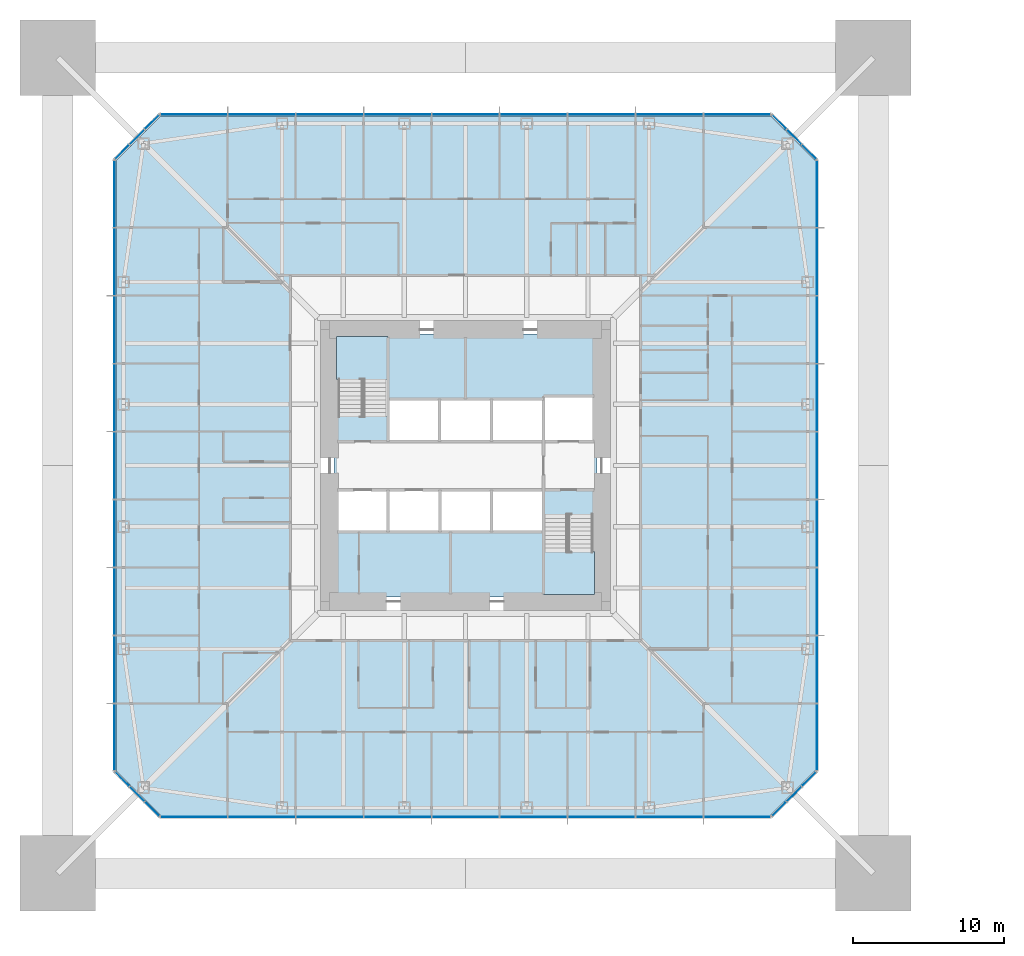
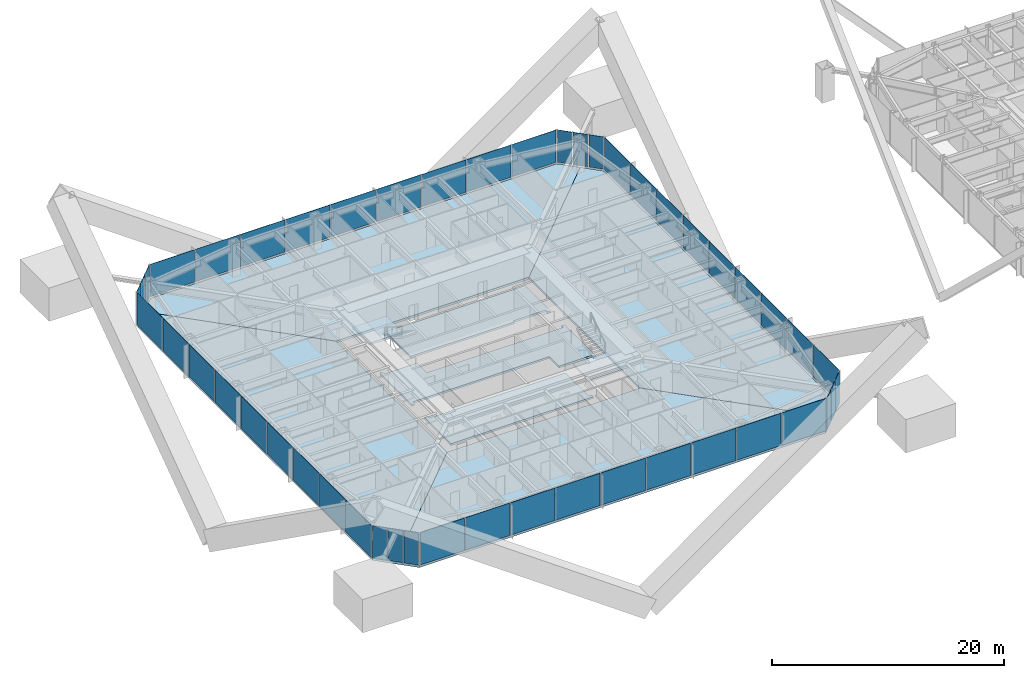
# One storey, part 14 of 28: 48 plates, 9 slabs, 10 elements without a shape of their own.
"""IFC4 building model written with IfcOpenShell, lengths in metres."""

from ifc_helpers import new_model, si_unit, direction, frame, origin, origin_2d, place, context, subcontext, project, spatial, polyline, rectangle, outline, extrude, material, layer, layer_set, constituent, constituent_set, type_object, element, aggregate, save


model = new_model("IFC4")

# Units and contexts
model_context = context("Model", 3, precision=1e-05, world=origin(), true_north=direction((0.0, 1.0)))
body_context = subcontext(model_context, "Body", "Model", "MODEL_VIEW")
ifc_project = project(units=[si_unit("LENGTHUNIT", "METRE"), si_unit("AREAUNIT", "SQUARE_METRE"), si_unit("VOLUMEUNIT", "CUBIC_METRE"), si_unit("PLANEANGLEUNIT", "RADIAN"), si_unit("MASSUNIT", "GRAM", prefix="KILO")], contexts=[model_context])

# Site, building, storey
site_placement = place(None, origin())
site = spatial("IfcSite", under=ifc_project, at=site_placement, CompositionType="ELEMENT")
building_placement = place(site_placement, origin())
building = spatial("IfcBuilding", under=site, at=building_placement, Name="Iwan Alto Co-Living Towers", CompositionType="ELEMENT")
storey_placement = place(building_placement, frame((0.0, 0.0, 64.0)))
storey = spatial("IfcBuildingStorey", under=building, at=storey_placement, Name="L17", CompositionType="ELEMENT", Elevation=64.0)

# Slabs
ifc_material_1 = material(Name="Concrete f'c 30 MPa", Category="concrete")
ifc_layer_1 = layer(ifc_material_1, 0.199951171875)
ifc_layer_set_1 = layer_set([ifc_layer_1], Name="CORE FLOOR SLAB 200")
slab_type_1 = type_object("IfcSlabType", Name="CORE FLOOR SLAB 200", PredefinedType="FLOOR", material=ifc_layer_set_1)
slab_1_placement = place(storey_placement, frame((0.0, 0.0, -0.199951171875)))
element("IfcSlab", 1, at=slab_1_placement, inside=storey, type_object=slab_type_1, Name="T1 core floor L17", PredefinedType="FLOOR", context=body_context, shape_type="SweptSolid", body=[
    extrude(outline(polyline([(8.699951171875, -3.580078125), (8.39990234375, -3.580078125), (8.39990234375, -3.27001953125), (5.14990234375, -3.27001953125), (5.14990234375, -1.60009765625), (1.72509765625, -1.60009765625), (-1.699951171875, -1.60009765625), (-5.125, -1.60009765625), (-8.39990234375, -1.60009765625), (-8.39990234375, -1.909912109375), (-8.699951171875, -1.909912109375), (-8.699951171875, 3.580078125), (-8.39990234375, 3.580078125), (-8.39990234375, 3.27001953125), (-5.14990234375, 3.27001953125), (-5.14990234375, 1.60009765625), (-1.717041015625, 1.60009765625), (1.717041015625, 1.60009765625), (5.14990234375, 1.60009765625), (8.39990234375, 1.60009765625), (8.39990234375, 1.909912109375), (8.699951171875, 1.909912109375), (8.699951171875, -3.580078125)])), origin(), (0.0, 0.0, 1.0), 0.199951171875),
])
slab_2_placement = place(storey_placement, frame((0.0, 0.0, -0.199951171875)))
element("IfcSlab", 2, at=slab_2_placement, inside=storey, type_object=slab_type_1, Name="T1 core floor L17", PredefinedType="FLOOR", context=body_context, shape_type="SweptSolid", body=[
    extrude(outline(polyline([(-1.699951171875, -4.39990234375), (1.72509765625, -4.39990234375), (5.14990234375, -4.39990234375), (5.14990234375, -8.39990234375), (5.4599609375, -8.39990234375), (5.4599609375, -8.699951171875), (-8.699951171875, -8.699951171875), (-8.699951171875, -4.090087890625), (-8.39990234375, -4.090087890625), (-8.39990234375, -4.39990234375), (-5.125, -4.39990234375), (-1.699951171875, -4.39990234375)])), origin(), (0.0, 0.0, 1.0), 0.199951171875),
])
slab_3_placement = place(storey_placement, frame((0.0, 0.0, -0.199951171875)))
element("IfcSlab", 3, at=slab_3_placement, inside=storey, type_object=slab_type_1, Name="T1 core floor L17", PredefinedType="FLOOR", context=body_context, shape_type="SweptSolid", body=[
    extrude(outline(polyline([(1.717041015625, 4.39990234375), (-1.717041015625, 4.39990234375), (-5.14990234375, 4.39990234375), (-5.14990234375, 8.39990234375), (-5.4599609375, 8.39990234375), (-5.4599609375, 8.699951171875), (8.699951171875, 8.699951171875), (8.699951171875, 4.2900390625), (8.39990234375, 4.2900390625), (8.39990234375, 4.60009765625), (5.14990234375, 4.60009765625), (5.14990234375, 4.39990234375), (1.717041015625, 4.39990234375)])), origin(), (0.0, 0.0, 1.0), 0.199951171875),
])

# Curtain wall, plates
ifc_material_2 = material(Name="Bronze aluminium unitised frame", Category="aluminium")
curtain_wall_type_1 = type_object("IfcCurtainWallType", Name="CURTAIN WALL CW-A", PredefinedType="NOTDEFINED", material=ifc_material_2)
curtain_wall_1_placement = place(storey_placement, origin())
curtain_wall_1 = element("IfcCurtainWall", 4, at=curtain_wall_1_placement, inside=storey, type_object=curtain_wall_type_1, Name="T1 curtain wall S L17", PredefinedType="NOTDEFINED")
ifc_material_3 = material(Name="Bronze-tinted insulating glass", Category="glass")
ifc_layer_2 = layer(ifc_material_3, 0.031982421875)
ifc_layer_set_2 = layer_set([ifc_layer_2], Name="CW-A PANEL TINTED IGU 32")
plate_type_1 = type_object("IfcPlateType", Name="CW-A PANEL TINTED IGU 32", PredefinedType="CURTAIN_PANEL", material=ifc_layer_set_2)
plate_1_placement = place(storey_placement, frame((-17.97998046875, -23.25, 0.10009765625), z_axis=(0.0, 0.0, 1.0), x_axis=(1.0, 0.0, 0.0)))
plate_1 = element("IfcPlate", 5, at=plate_1_placement, type_object=plate_type_1, Name="CW-A panel 1.1", PredefinedType="CURTAIN_PANEL", context=body_context, shape_type="SweptSolid", body=[
    extrude(rectangle(XDim=4.3798828125, YDim=0.031982421875, at=origin_2d()), origin(), (0.0, 0.0, 1.0), 3.39990234375),
])
plate_2_placement = place(storey_placement, frame((-13.5, -23.25, 0.10009765625), z_axis=(0.0, 0.0, 1.0), x_axis=(1.0, 0.0, 0.0)))
plate_2 = element("IfcPlate", 6, at=plate_2_placement, type_object=plate_type_1, Name="CW-A panel 2.1", PredefinedType="CURTAIN_PANEL", context=body_context, shape_type="SweptSolid", body=[
    extrude(rectangle(XDim=4.419921875, YDim=0.031982421875, at=origin_2d()), origin(), (0.0, 0.0, 1.0), 3.39990234375),
])
plate_3_placement = place(storey_placement, frame((-9.0, -23.25, 0.10009765625), z_axis=(0.0, 0.0, 1.0), x_axis=(1.0, 0.0, 0.0)))
plate_3 = element("IfcPlate", 7, at=plate_3_placement, type_object=plate_type_1, Name="CW-A panel 3.1", PredefinedType="CURTAIN_PANEL", context=body_context, shape_type="SweptSolid", body=[
    extrude(rectangle(XDim=4.419921875, YDim=0.031982421875, at=origin_2d()), origin(), (0.0, 0.0, 1.0), 3.39990234375),
])
plate_4_placement = place(storey_placement, frame((-4.5, -23.25, 0.10009765625), z_axis=(0.0, 0.0, 1.0), x_axis=(1.0, 0.0, 0.0)))
plate_4 = element("IfcPlate", 8, at=plate_4_placement, type_object=plate_type_1, Name="CW-A panel 4.1", PredefinedType="CURTAIN_PANEL", context=body_context, shape_type="SweptSolid", body=[
    extrude(rectangle(XDim=4.419921875, YDim=0.031982421875, at=origin_2d()), origin(), (0.0, 0.0, 1.0), 3.39990234375),
])
plate_5_placement = place(storey_placement, frame((0.0, -23.25, 0.10009765625), z_axis=(0.0, 0.0, 1.0), x_axis=(1.0, 0.0, 0.0)))
plate_5 = element("IfcPlate", 9, at=plate_5_placement, type_object=plate_type_1, Name="CW-A panel 5.1", PredefinedType="CURTAIN_PANEL", context=body_context, shape_type="SweptSolid", body=[
    extrude(rectangle(XDim=4.419921875, YDim=0.031982421875, at=origin_2d()), origin(), (0.0, 0.0, 1.0), 3.39990234375),
])
plate_6_placement = place(storey_placement, frame((4.5, -23.25, 0.10009765625), z_axis=(0.0, 0.0, 1.0), x_axis=(1.0, 0.0, 0.0)))
plate_6 = element("IfcPlate", 10, at=plate_6_placement, type_object=plate_type_1, Name="CW-A panel 6.1", PredefinedType="CURTAIN_PANEL", context=body_context, shape_type="SweptSolid", body=[
    extrude(rectangle(XDim=4.419921875, YDim=0.031982421875, at=origin_2d()), origin(), (0.0, 0.0, 1.0), 3.39990234375),
])
plate_7_placement = place(storey_placement, frame((9.0, -23.25, 0.10009765625), z_axis=(0.0, 0.0, 1.0), x_axis=(1.0, 0.0, 0.0)))
plate_7 = element("IfcPlate", 11, at=plate_7_placement, type_object=plate_type_1, Name="CW-A panel 7.1", PredefinedType="CURTAIN_PANEL", context=body_context, shape_type="SweptSolid", body=[
    extrude(rectangle(XDim=4.419921875, YDim=0.031982421875, at=origin_2d()), origin(), (0.0, 0.0, 1.0), 3.39990234375),
])
plate_8_placement = place(storey_placement, frame((13.5, -23.25, 0.10009765625), z_axis=(0.0, 0.0, 1.0), x_axis=(1.0, 0.0, 0.0)))
plate_8 = element("IfcPlate", 12, at=plate_8_placement, type_object=plate_type_1, Name="CW-A panel 8.1", PredefinedType="CURTAIN_PANEL", context=body_context, shape_type="SweptSolid", body=[
    extrude(rectangle(XDim=4.419921875, YDim=0.031982421875, at=origin_2d()), origin(), (0.0, 0.0, 1.0), 3.39990234375),
])
plate_9_placement = place(storey_placement, frame((17.97998046875, -23.25, 0.10009765625), z_axis=(0.0, 0.0, 1.0), x_axis=(1.0, 0.0, 0.0)))
plate_9 = element("IfcPlate", 13, at=plate_9_placement, type_object=plate_type_1, Name="CW-A panel 9.1", PredefinedType="CURTAIN_PANEL", context=body_context, shape_type="SweptSolid", body=[
    extrude(rectangle(XDim=4.3798828125, YDim=0.031982421875, at=origin_2d()), origin(), (0.0, 0.0, 1.0), 3.39990234375),
])
aggregate(curtain_wall_1, [plate_1, plate_2, plate_3, plate_4, plate_5, plate_6, plate_7, plate_8, plate_9])

curtain_wall_2_placement = place(storey_placement, origin())
curtain_wall_2 = element("IfcCurtainWall", 14, at=curtain_wall_2_placement, inside=storey, type_object=curtain_wall_type_1, Name="T1 curtain wall E L17", PredefinedType="NOTDEFINED")
plate_10_placement = place(storey_placement, frame((23.25, -17.97998046875, 0.10009765625), z_axis=(0.0, 0.0, 1.0), x_axis=(0.0, 1.0, 0.0)))
plate_10 = element("IfcPlate", 15, at=plate_10_placement, type_object=plate_type_1, Name="CW-A panel 1.1", PredefinedType="CURTAIN_PANEL", context=body_context, shape_type="SweptSolid", body=[
    extrude(rectangle(XDim=4.3798828125, YDim=0.031982421875, at=origin_2d()), origin(), (0.0, 0.0, 1.0), 3.39990234375),
])
plate_11_placement = place(storey_placement, frame((23.25, -13.5, 0.10009765625), z_axis=(0.0, 0.0, 1.0), x_axis=(0.0, 1.0, 0.0)))
plate_11 = element("IfcPlate", 16, at=plate_11_placement, type_object=plate_type_1, Name="CW-A panel 2.1", PredefinedType="CURTAIN_PANEL", context=body_context, shape_type="SweptSolid", body=[
    extrude(rectangle(XDim=4.419921875, YDim=0.031982421875, at=origin_2d()), origin(), (0.0, 0.0, 1.0), 3.39990234375),
])
plate_12_placement = place(storey_placement, frame((23.25, -9.0, 0.10009765625), z_axis=(0.0, 0.0, 1.0), x_axis=(0.0, 1.0, 0.0)))
plate_12 = element("IfcPlate", 17, at=plate_12_placement, type_object=plate_type_1, Name="CW-A panel 3.1", PredefinedType="CURTAIN_PANEL", context=body_context, shape_type="SweptSolid", body=[
    extrude(rectangle(XDim=4.419921875, YDim=0.031982421875, at=origin_2d()), origin(), (0.0, 0.0, 1.0), 3.39990234375),
])
plate_13_placement = place(storey_placement, frame((23.25, -4.5, 0.10009765625), z_axis=(0.0, 0.0, 1.0), x_axis=(0.0, 1.0, 0.0)))
plate_13 = element("IfcPlate", 18, at=plate_13_placement, type_object=plate_type_1, Name="CW-A panel 4.1", PredefinedType="CURTAIN_PANEL", context=body_context, shape_type="SweptSolid", body=[
    extrude(rectangle(XDim=4.419921875, YDim=0.031982421875, at=origin_2d()), origin(), (0.0, 0.0, 1.0), 3.39990234375),
])
plate_14_placement = place(storey_placement, frame((23.25, 0.0, 0.10009765625), z_axis=(0.0, 0.0, 1.0), x_axis=(0.0, 1.0, 0.0)))
plate_14 = element("IfcPlate", 19, at=plate_14_placement, type_object=plate_type_1, Name="CW-A panel 5.1", PredefinedType="CURTAIN_PANEL", context=body_context, shape_type="SweptSolid", body=[
    extrude(rectangle(XDim=4.419921875, YDim=0.031982421875, at=origin_2d()), origin(), (0.0, 0.0, 1.0), 3.39990234375),
])
plate_15_placement = place(storey_placement, frame((23.25, 4.5, 0.10009765625), z_axis=(0.0, 0.0, 1.0), x_axis=(0.0, 1.0, 0.0)))
plate_15 = element("IfcPlate", 20, at=plate_15_placement, type_object=plate_type_1, Name="CW-A panel 6.1", PredefinedType="CURTAIN_PANEL", context=body_context, shape_type="SweptSolid", body=[
    extrude(rectangle(XDim=4.419921875, YDim=0.031982421875, at=origin_2d()), origin(), (0.0, 0.0, 1.0), 3.39990234375),
])
plate_16_placement = place(storey_placement, frame((23.25, 9.0, 0.10009765625), z_axis=(0.0, 0.0, 1.0), x_axis=(0.0, 1.0, 0.0)))
plate_16 = element("IfcPlate", 21, at=plate_16_placement, type_object=plate_type_1, Name="CW-A panel 7.1", PredefinedType="CURTAIN_PANEL", context=body_context, shape_type="SweptSolid", body=[
    extrude(rectangle(XDim=4.419921875, YDim=0.031982421875, at=origin_2d()), origin(), (0.0, 0.0, 1.0), 3.39990234375),
])
plate_17_placement = place(storey_placement, frame((23.25, 13.5, 0.10009765625), z_axis=(0.0, 0.0, 1.0), x_axis=(0.0, 1.0, 0.0)))
plate_17 = element("IfcPlate", 22, at=plate_17_placement, type_object=plate_type_1, Name="CW-A panel 8.1", PredefinedType="CURTAIN_PANEL", context=body_context, shape_type="SweptSolid", body=[
    extrude(rectangle(XDim=4.419921875, YDim=0.031982421875, at=origin_2d()), origin(), (0.0, 0.0, 1.0), 3.39990234375),
])
plate_18_placement = place(storey_placement, frame((23.25, 17.97998046875, 0.10009765625), z_axis=(0.0, 0.0, 1.0), x_axis=(0.0, 1.0, 0.0)))
plate_18 = element("IfcPlate", 23, at=plate_18_placement, type_object=plate_type_1, Name="CW-A panel 9.1", PredefinedType="CURTAIN_PANEL", context=body_context, shape_type="SweptSolid", body=[
    extrude(rectangle(XDim=4.3798828125, YDim=0.031982421875, at=origin_2d()), origin(), (0.0, 0.0, 1.0), 3.39990234375),
])
aggregate(curtain_wall_2, [plate_10, plate_11, plate_12, plate_13, plate_14, plate_15, plate_16, plate_17, plate_18])

curtain_wall_3_placement = place(storey_placement, origin())
curtain_wall_3 = element("IfcCurtainWall", 24, at=curtain_wall_3_placement, inside=storey, type_object=curtain_wall_type_1, Name="T1 curtain wall N L17", PredefinedType="NOTDEFINED")
plate_19_placement = place(storey_placement, frame((17.97998046875, 23.25, 0.10009765625), z_axis=(0.0, 0.0, 1.0), x_axis=(-1.0, 0.0, 0.0)))
plate_19 = element("IfcPlate", 25, at=plate_19_placement, type_object=plate_type_1, Name="CW-A panel 1.1", PredefinedType="CURTAIN_PANEL", context=body_context, shape_type="SweptSolid", body=[
    extrude(rectangle(XDim=4.3798828125, YDim=0.031982421875, at=origin_2d()), origin(), (0.0, 0.0, 1.0), 3.39990234375),
])
plate_20_placement = place(storey_placement, frame((13.5, 23.25, 0.10009765625), z_axis=(0.0, 0.0, 1.0), x_axis=(-1.0, 0.0, 0.0)))
plate_20 = element("IfcPlate", 26, at=plate_20_placement, type_object=plate_type_1, Name="CW-A panel 2.1", PredefinedType="CURTAIN_PANEL", context=body_context, shape_type="SweptSolid", body=[
    extrude(rectangle(XDim=4.419921875, YDim=0.031982421875, at=origin_2d()), origin(), (0.0, 0.0, 1.0), 3.39990234375),
])
plate_21_placement = place(storey_placement, frame((9.0, 23.25, 0.10009765625), z_axis=(0.0, 0.0, 1.0), x_axis=(-1.0, 0.0, 0.0)))
plate_21 = element("IfcPlate", 27, at=plate_21_placement, type_object=plate_type_1, Name="CW-A panel 3.1", PredefinedType="CURTAIN_PANEL", context=body_context, shape_type="SweptSolid", body=[
    extrude(rectangle(XDim=4.419921875, YDim=0.031982421875, at=origin_2d()), origin(), (0.0, 0.0, 1.0), 3.39990234375),
])
plate_22_placement = place(storey_placement, frame((4.5, 23.25, 0.10009765625), z_axis=(0.0, 0.0, 1.0), x_axis=(-1.0, 0.0, 0.0)))
plate_22 = element("IfcPlate", 28, at=plate_22_placement, type_object=plate_type_1, Name="CW-A panel 4.1", PredefinedType="CURTAIN_PANEL", context=body_context, shape_type="SweptSolid", body=[
    extrude(rectangle(XDim=4.419921875, YDim=0.031982421875, at=origin_2d()), origin(), (0.0, 0.0, 1.0), 3.39990234375),
])
plate_23_placement = place(storey_placement, frame((0.0, 23.25, 0.10009765625), z_axis=(0.0, 0.0, 1.0), x_axis=(-1.0, 0.0, 0.0)))
plate_23 = element("IfcPlate", 29, at=plate_23_placement, type_object=plate_type_1, Name="CW-A panel 5.1", PredefinedType="CURTAIN_PANEL", context=body_context, shape_type="SweptSolid", body=[
    extrude(rectangle(XDim=4.419921875, YDim=0.031982421875, at=origin_2d()), origin(), (0.0, 0.0, 1.0), 3.39990234375),
])
plate_24_placement = place(storey_placement, frame((-4.5, 23.25, 0.10009765625), z_axis=(0.0, 0.0, 1.0), x_axis=(-1.0, 0.0, 0.0)))
plate_24 = element("IfcPlate", 30, at=plate_24_placement, type_object=plate_type_1, Name="CW-A panel 6.1", PredefinedType="CURTAIN_PANEL", context=body_context, shape_type="SweptSolid", body=[
    extrude(rectangle(XDim=4.419921875, YDim=0.031982421875, at=origin_2d()), origin(), (0.0, 0.0, 1.0), 3.39990234375),
])
plate_25_placement = place(storey_placement, frame((-9.0, 23.25, 0.10009765625), z_axis=(0.0, 0.0, 1.0), x_axis=(-1.0, 0.0, 0.0)))
plate_25 = element("IfcPlate", 31, at=plate_25_placement, type_object=plate_type_1, Name="CW-A panel 7.1", PredefinedType="CURTAIN_PANEL", context=body_context, shape_type="SweptSolid", body=[
    extrude(rectangle(XDim=4.419921875, YDim=0.031982421875, at=origin_2d()), origin(), (0.0, 0.0, 1.0), 3.39990234375),
])
plate_26_placement = place(storey_placement, frame((-13.5, 23.25, 0.10009765625), z_axis=(0.0, 0.0, 1.0), x_axis=(-1.0, 0.0, 0.0)))
plate_26 = element("IfcPlate", 32, at=plate_26_placement, type_object=plate_type_1, Name="CW-A panel 8.1", PredefinedType="CURTAIN_PANEL", context=body_context, shape_type="SweptSolid", body=[
    extrude(rectangle(XDim=4.419921875, YDim=0.031982421875, at=origin_2d()), origin(), (0.0, 0.0, 1.0), 3.39990234375),
])
plate_27_placement = place(storey_placement, frame((-17.97998046875, 23.25, 0.10009765625), z_axis=(0.0, 0.0, 1.0), x_axis=(-1.0, 0.0, 0.0)))
plate_27 = element("IfcPlate", 33, at=plate_27_placement, type_object=plate_type_1, Name="CW-A panel 9.1", PredefinedType="CURTAIN_PANEL", context=body_context, shape_type="SweptSolid", body=[
    extrude(rectangle(XDim=4.3798828125, YDim=0.031982421875, at=origin_2d()), origin(), (0.0, 0.0, 1.0), 3.39990234375),
])
aggregate(curtain_wall_3, [plate_19, plate_20, plate_21, plate_22, plate_23, plate_24, plate_25, plate_26, plate_27])

curtain_wall_4_placement = place(storey_placement, origin())
curtain_wall_4 = element("IfcCurtainWall", 34, at=curtain_wall_4_placement, inside=storey, type_object=curtain_wall_type_1, Name="T1 curtain wall W L17", PredefinedType="NOTDEFINED")
plate_28_placement = place(storey_placement, frame((-23.25, 17.97998046875, 0.10009765625), z_axis=(0.0, 0.0, 1.0), x_axis=(0.0, -1.0, 0.0)))
plate_28 = element("IfcPlate", 35, at=plate_28_placement, type_object=plate_type_1, Name="CW-A panel 1.1", PredefinedType="CURTAIN_PANEL", context=body_context, shape_type="SweptSolid", body=[
    extrude(rectangle(XDim=4.3798828125, YDim=0.031982421875, at=origin_2d()), origin(), (0.0, 0.0, 1.0), 3.39990234375),
])
plate_29_placement = place(storey_placement, frame((-23.25, 13.5, 0.10009765625), z_axis=(0.0, 0.0, 1.0), x_axis=(0.0, -1.0, 0.0)))
plate_29 = element("IfcPlate", 36, at=plate_29_placement, type_object=plate_type_1, Name="CW-A panel 2.1", PredefinedType="CURTAIN_PANEL", context=body_context, shape_type="SweptSolid", body=[
    extrude(rectangle(XDim=4.419921875, YDim=0.031982421875, at=origin_2d()), origin(), (0.0, 0.0, 1.0), 3.39990234375),
])
plate_30_placement = place(storey_placement, frame((-23.25, 9.0, 0.10009765625), z_axis=(0.0, 0.0, 1.0), x_axis=(0.0, -1.0, 0.0)))
plate_30 = element("IfcPlate", 37, at=plate_30_placement, type_object=plate_type_1, Name="CW-A panel 3.1", PredefinedType="CURTAIN_PANEL", context=body_context, shape_type="SweptSolid", body=[
    extrude(rectangle(XDim=4.419921875, YDim=0.031982421875, at=origin_2d()), origin(), (0.0, 0.0, 1.0), 3.39990234375),
])
plate_31_placement = place(storey_placement, frame((-23.25, 4.5, 0.10009765625), z_axis=(0.0, 0.0, 1.0), x_axis=(0.0, -1.0, 0.0)))
plate_31 = element("IfcPlate", 38, at=plate_31_placement, type_object=plate_type_1, Name="CW-A panel 4.1", PredefinedType="CURTAIN_PANEL", context=body_context, shape_type="SweptSolid", body=[
    extrude(rectangle(XDim=4.419921875, YDim=0.031982421875, at=origin_2d()), origin(), (0.0, 0.0, 1.0), 3.39990234375),
])
plate_32_placement = place(storey_placement, frame((-23.25, 0.0, 0.10009765625), z_axis=(0.0, 0.0, 1.0), x_axis=(0.0, -1.0, 0.0)))
plate_32 = element("IfcPlate", 39, at=plate_32_placement, type_object=plate_type_1, Name="CW-A panel 5.1", PredefinedType="CURTAIN_PANEL", context=body_context, shape_type="SweptSolid", body=[
    extrude(rectangle(XDim=4.419921875, YDim=0.031982421875, at=origin_2d()), origin(), (0.0, 0.0, 1.0), 3.39990234375),
])
plate_33_placement = place(storey_placement, frame((-23.25, -4.5, 0.10009765625), z_axis=(0.0, 0.0, 1.0), x_axis=(0.0, -1.0, 0.0)))
plate_33 = element("IfcPlate", 40, at=plate_33_placement, type_object=plate_type_1, Name="CW-A panel 6.1", PredefinedType="CURTAIN_PANEL", context=body_context, shape_type="SweptSolid", body=[
    extrude(rectangle(XDim=4.419921875, YDim=0.031982421875, at=origin_2d()), origin(), (0.0, 0.0, 1.0), 3.39990234375),
])
plate_34_placement = place(storey_placement, frame((-23.25, -9.0, 0.10009765625), z_axis=(0.0, 0.0, 1.0), x_axis=(0.0, -1.0, 0.0)))
plate_34 = element("IfcPlate", 41, at=plate_34_placement, type_object=plate_type_1, Name="CW-A panel 7.1", PredefinedType="CURTAIN_PANEL", context=body_context, shape_type="SweptSolid", body=[
    extrude(rectangle(XDim=4.419921875, YDim=0.031982421875, at=origin_2d()), origin(), (0.0, 0.0, 1.0), 3.39990234375),
])
plate_35_placement = place(storey_placement, frame((-23.25, -13.5, 0.10009765625), z_axis=(0.0, 0.0, 1.0), x_axis=(0.0, -1.0, 0.0)))
plate_35 = element("IfcPlate", 42, at=plate_35_placement, type_object=plate_type_1, Name="CW-A panel 8.1", PredefinedType="CURTAIN_PANEL", context=body_context, shape_type="SweptSolid", body=[
    extrude(rectangle(XDim=4.419921875, YDim=0.031982421875, at=origin_2d()), origin(), (0.0, 0.0, 1.0), 3.39990234375),
])
plate_36_placement = place(storey_placement, frame((-23.25, -17.97998046875, 0.10009765625), z_axis=(0.0, 0.0, 1.0), x_axis=(0.0, -1.0, 0.0)))
plate_36 = element("IfcPlate", 43, at=plate_36_placement, type_object=plate_type_1, Name="CW-A panel 9.1", PredefinedType="CURTAIN_PANEL", context=body_context, shape_type="SweptSolid", body=[
    extrude(rectangle(XDim=4.3798828125, YDim=0.031982421875, at=origin_2d()), origin(), (0.0, 0.0, 1.0), 3.39990234375),
])
aggregate(curtain_wall_4, [plate_28, plate_29, plate_30, plate_31, plate_32, plate_33, plate_34, plate_35, plate_36])

ifc_material_4 = material(Name="Bronze aluminium unitised frame", Category="aluminium")
curtain_wall_type_2 = type_object("IfcCurtainWallType", Name="CURTAIN WALL CW-B", PredefinedType="NOTDEFINED", material=ifc_material_4)
curtain_wall_5_placement = place(storey_placement, origin())
curtain_wall_5 = element("IfcCurtainWall", 44, at=curtain_wall_5_placement, inside=storey, type_object=curtain_wall_type_2, Name="T1 chamfer curtain wall SE L17", PredefinedType="NOTDEFINED")
ifc_material_5 = material(Name="Bronze-tinted insulating glass", Category="glass")
ifc_layer_3 = layer(ifc_material_5, 0.031982421875)
ifc_layer_set_3 = layer_set([ifc_layer_3], Name="CW-B PANEL TINTED IGU 32")
plate_type_2 = type_object("IfcPlateType", Name="CW-B PANEL TINTED IGU 32", PredefinedType="CURTAIN_PANEL", material=ifc_layer_set_3)
plate_37_placement = place(storey_placement, frame((20.76416015625, -22.73583984375, 0.10009765625), z_axis=(0.0, 0.0, 1.0), x_axis=(0.707106781187, 0.707106781187, 0.0)))
plate_37 = element("IfcPlate", 45, at=plate_37_placement, type_object=plate_type_2, Name="CW-B panel 1.1", PredefinedType="CURTAIN_PANEL", context=body_context, shape_type="SweptSolid", body=[
    extrude(rectangle(XDim=1.294189453125, YDim=0.031982421875, at=origin_2d()), origin(), (0.0, 0.0, 1.0), 3.39990234375),
])
plate_38_placement = place(storey_placement, frame((21.75, -21.75, 0.10009765625), z_axis=(0.0, 0.0, 1.0), x_axis=(0.707106781187, 0.707106781187, 0.0)))
plate_38 = element("IfcPlate", 46, at=plate_38_placement, type_object=plate_type_2, Name="CW-B panel 2.1", PredefinedType="CURTAIN_PANEL", context=body_context, shape_type="SweptSolid", body=[
    extrude(rectangle(XDim=1.334228515625, YDim=0.031982421875, at=origin_2d()), origin(), (0.0, 0.0, 1.0), 3.39990234375),
])
plate_39_placement = place(storey_placement, frame((22.73583984375, -20.76416015625, 0.10009765625), z_axis=(0.0, 0.0, 1.0), x_axis=(0.707106781187, 0.707106781187, 0.0)))
plate_39 = element("IfcPlate", 47, at=plate_39_placement, type_object=plate_type_2, Name="CW-B panel 3.1", PredefinedType="CURTAIN_PANEL", context=body_context, shape_type="SweptSolid", body=[
    extrude(rectangle(XDim=1.294189453125, YDim=0.031982421875, at=origin_2d()), origin(), (0.0, 0.0, 1.0), 3.39990234375),
])
aggregate(curtain_wall_5, [plate_37, plate_38, plate_39])

curtain_wall_6_placement = place(storey_placement, origin())
curtain_wall_6 = element("IfcCurtainWall", 48, at=curtain_wall_6_placement, inside=storey, type_object=curtain_wall_type_2, Name="T1 chamfer curtain wall NE L17", PredefinedType="NOTDEFINED")
plate_40_placement = place(storey_placement, frame((22.73583984375, 20.76416015625, 0.10009765625), z_axis=(0.0, 0.0, 1.0), x_axis=(-0.707106781187, 0.707106781187, 0.0)))
plate_40 = element("IfcPlate", 49, at=plate_40_placement, type_object=plate_type_2, Name="CW-B panel 1.1", PredefinedType="CURTAIN_PANEL", context=body_context, shape_type="SweptSolid", body=[
    extrude(rectangle(XDim=1.294189453125, YDim=0.031982421875, at=origin_2d()), origin(), (0.0, 0.0, 1.0), 3.39990234375),
])
plate_41_placement = place(storey_placement, frame((21.75, 21.75, 0.10009765625), z_axis=(0.0, 0.0, 1.0), x_axis=(-0.707106781187, 0.707106781187, 0.0)))
plate_41 = element("IfcPlate", 50, at=plate_41_placement, type_object=plate_type_2, Name="CW-B panel 2.1", PredefinedType="CURTAIN_PANEL", context=body_context, shape_type="SweptSolid", body=[
    extrude(rectangle(XDim=1.334228515625, YDim=0.031982421875, at=origin_2d()), origin(), (0.0, 0.0, 1.0), 3.39990234375),
])
plate_42_placement = place(storey_placement, frame((20.76416015625, 22.73583984375, 0.10009765625), z_axis=(0.0, 0.0, 1.0), x_axis=(-0.707106781187, 0.707106781187, 0.0)))
plate_42 = element("IfcPlate", 51, at=plate_42_placement, type_object=plate_type_2, Name="CW-B panel 3.1", PredefinedType="CURTAIN_PANEL", context=body_context, shape_type="SweptSolid", body=[
    extrude(rectangle(XDim=1.294189453125, YDim=0.031982421875, at=origin_2d()), origin(), (0.0, 0.0, 1.0), 3.39990234375),
])
aggregate(curtain_wall_6, [plate_40, plate_41, plate_42])

curtain_wall_7_placement = place(storey_placement, origin())
curtain_wall_7 = element("IfcCurtainWall", 52, at=curtain_wall_7_placement, inside=storey, type_object=curtain_wall_type_2, Name="T1 chamfer curtain wall NW L17", PredefinedType="NOTDEFINED")
plate_43_placement = place(storey_placement, frame((-20.76416015625, 22.73583984375, 0.10009765625), z_axis=(0.0, 0.0, 1.0), x_axis=(-0.707106781187, -0.707106781187, 0.0)))
plate_43 = element("IfcPlate", 53, at=plate_43_placement, type_object=plate_type_2, Name="CW-B panel 1.1", PredefinedType="CURTAIN_PANEL", context=body_context, shape_type="SweptSolid", body=[
    extrude(rectangle(XDim=1.294189453125, YDim=0.031982421875, at=origin_2d()), origin(), (0.0, 0.0, 1.0), 3.39990234375),
])
plate_44_placement = place(storey_placement, frame((-21.75, 21.75, 0.10009765625), z_axis=(0.0, 0.0, 1.0), x_axis=(-0.707106781187, -0.707106781187, 0.0)))
plate_44 = element("IfcPlate", 54, at=plate_44_placement, type_object=plate_type_2, Name="CW-B panel 2.1", PredefinedType="CURTAIN_PANEL", context=body_context, shape_type="SweptSolid", body=[
    extrude(rectangle(XDim=1.334228515625, YDim=0.031982421875, at=origin_2d()), origin(), (0.0, 0.0, 1.0), 3.39990234375),
])
plate_45_placement = place(storey_placement, frame((-22.73583984375, 20.76416015625, 0.10009765625), z_axis=(0.0, 0.0, 1.0), x_axis=(-0.707106781187, -0.707106781187, 0.0)))
plate_45 = element("IfcPlate", 55, at=plate_45_placement, type_object=plate_type_2, Name="CW-B panel 3.1", PredefinedType="CURTAIN_PANEL", context=body_context, shape_type="SweptSolid", body=[
    extrude(rectangle(XDim=1.294189453125, YDim=0.031982421875, at=origin_2d()), origin(), (0.0, 0.0, 1.0), 3.39990234375),
])
aggregate(curtain_wall_7, [plate_43, plate_44, plate_45])

curtain_wall_8_placement = place(storey_placement, origin())
curtain_wall_8 = element("IfcCurtainWall", 56, at=curtain_wall_8_placement, inside=storey, type_object=curtain_wall_type_2, Name="T1 chamfer curtain wall SW L17", PredefinedType="NOTDEFINED")
plate_46_placement = place(storey_placement, frame((-22.73583984375, -20.76416015625, 0.10009765625), z_axis=(0.0, 0.0, 1.0), x_axis=(0.707106781187, -0.707106781187, 0.0)))
plate_46 = element("IfcPlate", 57, at=plate_46_placement, type_object=plate_type_2, Name="CW-B panel 1.1", PredefinedType="CURTAIN_PANEL", context=body_context, shape_type="SweptSolid", body=[
    extrude(rectangle(XDim=1.294189453125, YDim=0.031982421875, at=origin_2d()), origin(), (0.0, 0.0, 1.0), 3.39990234375),
])
plate_47_placement = place(storey_placement, frame((-21.75, -21.75, 0.10009765625), z_axis=(0.0, 0.0, 1.0), x_axis=(0.707106781187, -0.707106781187, 0.0)))
plate_47 = element("IfcPlate", 58, at=plate_47_placement, type_object=plate_type_2, Name="CW-B panel 2.1", PredefinedType="CURTAIN_PANEL", context=body_context, shape_type="SweptSolid", body=[
    extrude(rectangle(XDim=1.334228515625, YDim=0.031982421875, at=origin_2d()), origin(), (0.0, 0.0, 1.0), 3.39990234375),
])
plate_48_placement = place(storey_placement, frame((-20.76416015625, -22.73583984375, 0.10009765625), z_axis=(0.0, 0.0, 1.0), x_axis=(0.707106781187, -0.707106781187, 0.0)))
plate_48 = element("IfcPlate", 59, at=plate_48_placement, type_object=plate_type_2, Name="CW-B panel 3.1", PredefinedType="CURTAIN_PANEL", context=body_context, shape_type="SweptSolid", body=[
    extrude(rectangle(XDim=1.294189453125, YDim=0.031982421875, at=origin_2d()), origin(), (0.0, 0.0, 1.0), 3.39990234375),
])
aggregate(curtain_wall_8, [plate_46, plate_47, plate_48])

# Stair, slab
ifc_material_6 = material(Name="Steel ASTM A36", Category="steel")
ifc_constituent_1 = constituent(ifc_material_6, Name="Stringers", Category="LoadBearing")
ifc_material_7 = material(Name="Concrete f'c 30 MPa", Category="concrete")
ifc_constituent_2 = constituent(ifc_material_7, Name="Tread fill", Category="Finish")
ifc_constituent_set = constituent_set(constituents=[ifc_constituent_1, ifc_constituent_2], Name="STAIR 3500 TWO-FLIGHT T1 CORE")
stair_type = type_object("IfcStairType", Name="STAIR 3500 TWO-FLIGHT T1 CORE", PredefinedType="HALF_TURN_STAIR", material=ifc_constituent_set)
stair_1_placement = place(storey_placement, origin())
stair_1 = element("IfcStair", 60, at=stair_1_placement, inside=storey, type_object=stair_type, Name="Stair T1-S1 L17 to L18", PredefinedType="HALF_TURN_STAIR")
ifc_material_8 = material(Name="Concrete f'c 30 MPa", Category="concrete")
ifc_layer_4 = layer(ifc_material_8, 0.199951171875)
ifc_layer_set_4 = layer_set([ifc_layer_4], Name="STAIR LANDING 200")
slab_type_2 = type_object("IfcSlabType", Name="STAIR LANDING 200", PredefinedType="LANDING", material=ifc_layer_set_4)
slab_4_placement = place(storey_placement, frame((0.0, 0.0, 1.550048828125)))
slab_4 = element("IfcSlab", 61, at=slab_4_placement, type_object=slab_type_2, Name="T1-S1 landing 1", PredefinedType="LANDING", context=body_context, shape_type="SweptSolid", body=[
    extrude(outline(polyline([(-8.550048828125, 5.68994140625), (-8.550048828125, 8.550048828125), (-5.14990234375, 8.550048828125), (-5.14990234375, 5.68994140625), (-8.550048828125, 5.68994140625)])), origin(), (0.0, 0.0, 1.0), 0.199951171875),
])
aggregate(stair_1, [slab_4])

stair_2_placement = place(storey_placement, origin())
stair_2 = element("IfcStair", 62, at=stair_2_placement, inside=storey, type_object=stair_type, Name="Stair T1-S2 L17 to L18", PredefinedType="HALF_TURN_STAIR")
slab_5_placement = place(storey_placement, frame((0.0, 0.0, 1.550048828125)))
slab_5 = element("IfcSlab", 63, at=slab_5_placement, type_object=slab_type_2, Name="T1-S2 landing 1", PredefinedType="LANDING", context=body_context, shape_type="SweptSolid", body=[
    extrude(outline(polyline([(5.14990234375, -5.68994140625), (5.14990234375, -8.550048828125), (8.550048828125, -8.550048828125), (8.550048828125, -5.68994140625), (5.14990234375, -5.68994140625)])), origin(), (0.0, 0.0, 1.0), 0.199951171875),
])
aggregate(stair_2, [slab_5])

# Slabs
ifc_material_9 = material(Name="Concrete f'c 30 MPa", Category="concrete")
ifc_layer_5 = layer(ifc_material_9, 0.22998046875)
ifc_layer_set_5 = layer_set([ifc_layer_5], Name="T1 FLOOR SLAB 230")
slab_type_3 = type_object("IfcSlabType", Name="T1 FLOOR SLAB 230", PredefinedType="FLOOR", material=ifc_layer_set_5)
slab_6_placement = place(storey_placement, frame((0.0, 0.0, -0.22998046875)))
element("IfcSlab", 64, at=slab_6_placement, inside=storey, type_object=slab_type_3, Name="T1 floor slab L17 S pour", PredefinedType="FLOOR", context=body_context, shape_type="SweptSolid", body=[
    extrude(outline(polyline([(20.19140625, -23.14990234375), (-20.19140625, -23.14990234375), (-21.670654296875, -21.670654296875), (-9.60009765625, -9.60009765625), (9.60009765625, -9.60009765625), (21.670654296875, -21.670654296875), (20.19140625, -23.14990234375)])), origin(), (0.0, 0.0, 1.0), 0.22998046875),
])
slab_7_placement = place(storey_placement, frame((0.0, 0.0, -0.22998046875)))
element("IfcSlab", 65, at=slab_7_placement, inside=storey, type_object=slab_type_3, Name="T1 floor slab L17 E pour", PredefinedType="FLOOR", context=body_context, shape_type="SweptSolid", body=[
    extrude(outline(polyline([(23.14990234375, 20.19140625), (23.14990234375, -20.19140625), (21.670654296875, -21.670654296875), (9.60009765625, -9.60009765625), (9.60009765625, 9.60009765625), (21.670654296875, 21.670654296875), (23.14990234375, 20.19140625)])), origin(), (0.0, 0.0, 1.0), 0.22998046875),
])
slab_8_placement = place(storey_placement, frame((0.0, 0.0, -0.22998046875)))
element("IfcSlab", 66, at=slab_8_placement, inside=storey, type_object=slab_type_3, Name="T1 floor slab L17 N pour", PredefinedType="FLOOR", context=body_context, shape_type="SweptSolid", body=[
    extrude(outline(polyline([(-20.19140625, 23.14990234375), (20.19140625, 23.14990234375), (21.670654296875, 21.670654296875), (9.60009765625, 9.60009765625), (-9.60009765625, 9.60009765625), (-21.670654296875, 21.670654296875), (-20.19140625, 23.14990234375)])), origin(), (0.0, 0.0, 1.0), 0.22998046875),
])
slab_9_placement = place(storey_placement, frame((0.0, 0.0, -0.22998046875)))
element("IfcSlab", 67, at=slab_9_placement, inside=storey, type_object=slab_type_3, Name="T1 floor slab L17 W pour", PredefinedType="FLOOR", context=body_context, shape_type="SweptSolid", body=[
    extrude(outline(polyline([(-23.14990234375, 20.19140625), (-21.670654296875, 21.670654296875), (-9.60009765625, 9.60009765625), (-9.60009765625, -9.60009765625), (-21.670654296875, -21.670654296875), (-23.14990234375, -20.19140625), (-23.14990234375, 20.19140625)])), origin(), (0.0, 0.0, 1.0), 0.22998046875),
])

save(model, "model.ifc")
